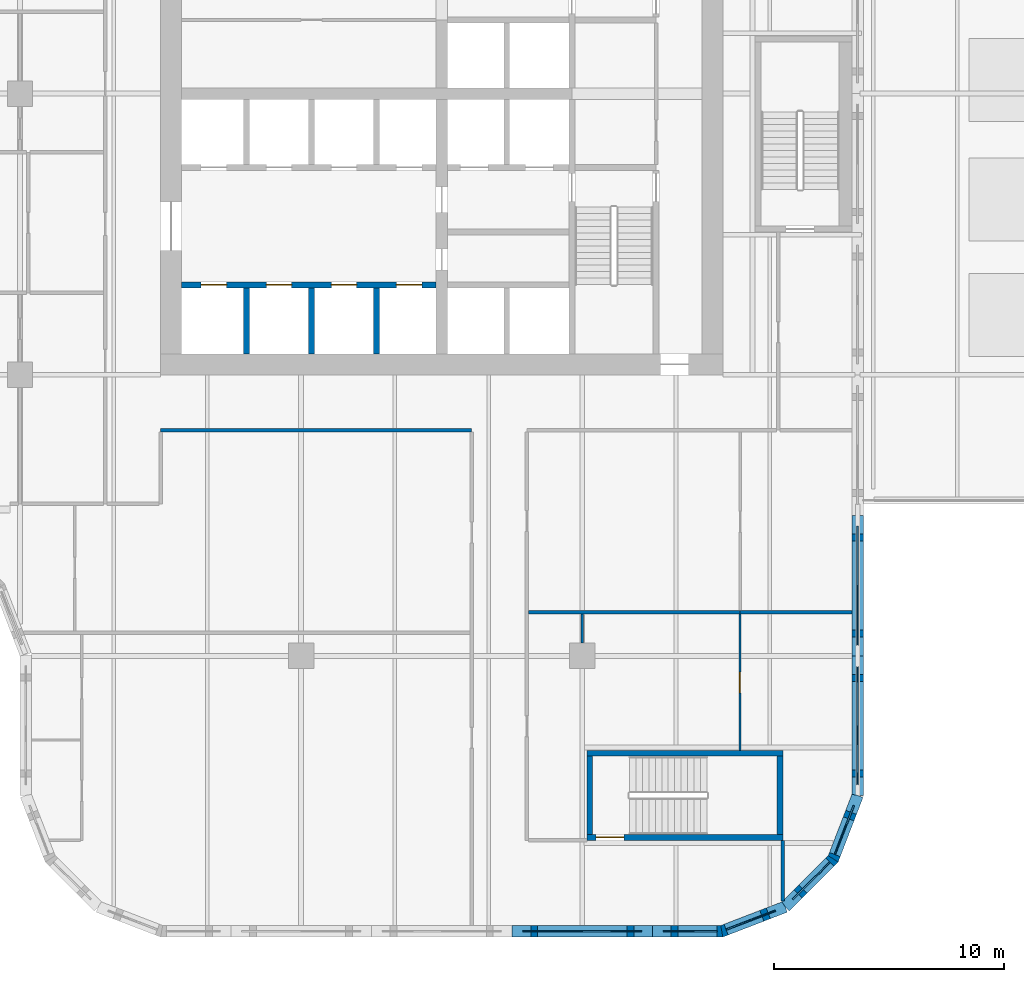
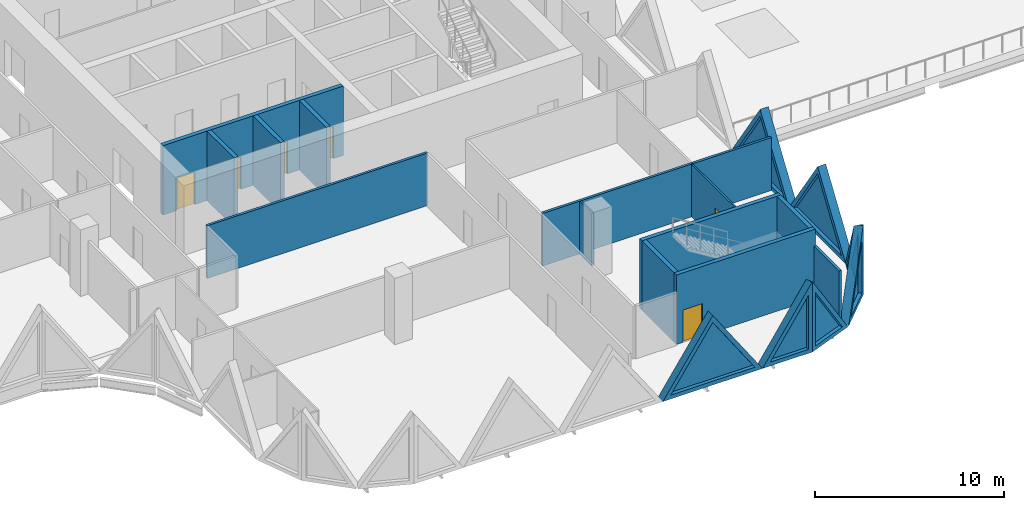
# One storey, part 8 of 21: 21 walls, 7 plates, 6 doors, 13 openings.
"""IFC4 building model written with IfcOpenShell, lengths in metres."""

from ifc_helpers import new_model, si_unit, direction, frame, frame_2d, origin, place, context, subcontext, project, spatial, polyline, rectangle, outline, extrude, faceted_brep, source, transform, mapped, material, layer, layer_set, type_object, element, fill, save


model = new_model("IFC4")

# Units and contexts
model_context = context("Model", 3, precision=1e-05, world=origin(), true_north=direction((0.0, 1.0)))
body_context = subcontext(model_context, "Body", "Model", "MODEL_VIEW")
ifc_project = project(units=[si_unit("LENGTHUNIT", "METRE"), si_unit("AREAUNIT", "SQUARE_METRE"), si_unit("VOLUMEUNIT", "CUBIC_METRE"), si_unit("PLANEANGLEUNIT", "RADIAN"), si_unit("MASSUNIT", "GRAM", prefix="KILO")], contexts=[model_context])

# Site, building, storey
site_placement = place(None, origin())
site = spatial("IfcSite", under=ifc_project, at=site_placement, CompositionType="ELEMENT")
building_placement = place(site_placement, origin())
building = spatial("IfcBuilding", under=site, at=building_placement, Name="Tessera Gate Towers", CompositionType="ELEMENT")
storey_placement = place(building_placement, frame((0.0, 0.0, 16.800048828125)))
storey = spatial("IfcBuildingStorey", under=building, at=storey_placement, Name="L03", CompositionType="ELEMENT", Elevation=16.800048828125)

# Wall, openings, doors
ifc_material_1 = material(Name="Concrete C40/50", Category="concrete")
ifc_layer_1 = layer(ifc_material_1, 0.25)
ifc_layer_set_1 = layer_set([ifc_layer_1], Name="CORE ENCLOSURE WALL 250")
wall_type_1 = type_object("IfcWallType", Name="CORE ENCLOSURE WALL 250", PredefinedType="SOLIDWALL", material=ifc_layer_set_1)
wall_1_placement = place(storey_placement, frame((31.39990234375, 28.300048828125, 0.0), z_axis=(0.0, 0.0, 1.0), x_axis=(1.0, 0.0, 0.0)))
wall_1 = element("IfcWall", 1, at=wall_1_placement, inside=storey, type_object=wall_type_1, Name="L03 shaft and stair enclosure wall", PredefinedType="SOLIDWALL", context=body_context, shape_type="SweptSolid", body=[
    extrude(rectangle(XDim=11.050048828125, YDim=0.25, at=frame_2d((5.52490234375, 0.0))), origin(), (0.0, 0.0, 1.0), 4.5),
])
shared_shape_1 = source(origin(), body_context, "Body", "SweptSolid", [
    extrude(rectangle(XDim=1.10009765625, YDim=2.10009765625, at=frame_2d((0.550048828125, 1.050048828125))), frame((0.0, 0.135009765625, 0.0), z_axis=(0.0, -1.0, 0.0), x_axis=(1.0, 0.0, 0.0)), (0.0, 0.0, 1.0), 0.27001953125),
])
opening_1_placement = place(wall_1_placement, frame((0.862548828125, 0.0, 0.0)))
opening_1 = element("IfcOpeningElement", 2, at=opening_1_placement, cuts=wall_1, Name="Opening LD-LR1", PredefinedType="OPENING", context=body_context, shape_type="MappedRepresentation", body=[
    mapped(shared_shape_1, transform((0.0, 0.0, 0.0), scale=1.0)),
])
opening_2_placement = place(wall_1_placement, frame((3.6875, 0.0, 0.0)))
opening_2 = element("IfcOpeningElement", 3, at=opening_2_placement, cuts=wall_1, Name="Opening LD-LR2", PredefinedType="OPENING", context=body_context, shape_type="MappedRepresentation", body=[
    mapped(shared_shape_1, transform((0.0, 0.0, 0.0), scale=1.0)),
])
opening_3_placement = place(wall_1_placement, frame((6.512451171875, 0.0, 0.0)))
opening_3 = element("IfcOpeningElement", 4, at=opening_3_placement, cuts=wall_1, Name="Opening LD-LR3", PredefinedType="OPENING", context=body_context, shape_type="MappedRepresentation", body=[
    mapped(shared_shape_1, transform((0.0, 0.0, 0.0), scale=1.0)),
])
opening_4_placement = place(wall_1_placement, frame((9.33740234375, 0.0, 0.0)))
opening_4 = element("IfcOpeningElement", 5, at=opening_4_placement, cuts=wall_1, Name="Opening LD-LR4", PredefinedType="OPENING", context=body_context, shape_type="MappedRepresentation", body=[
    mapped(shared_shape_1, transform((0.0, 0.0, 0.0), scale=1.0)),
])
ifc_material_2 = material(Name="Stainless steel", Category="steel")
door_type_1 = type_object("IfcDoorType", Name="CORE DOOR LD 1100x2100", OperationType="DOUBLE_DOOR_SLIDING", PredefinedType="DOOR", material=ifc_material_2)
shared_shape_2 = source(origin(), body_context, "Body", "SweptSolid", [
    extrude(rectangle(XDim=1.10009765625, YDim=2.10009765625, at=frame_2d((0.550048828125, 1.050048828125))), frame((0.0, 0.02490234375, 0.0), z_axis=(0.0, -1.0, 0.0), x_axis=(1.0, 0.0, 0.0)), (0.0, 0.0, 1.0), 0.050048828125),
])
door_1_placement = place(opening_1_placement, origin())
door_1 = element("IfcDoor", 6, at=door_1_placement, inside=storey, type_object=door_type_1, Name="Landing door LR1 L03", OperationType="DOUBLE_DOOR_SLIDING", OverallHeight=2.10009765625, OverallWidth=1.10009765625, PredefinedType="DOOR", context=body_context, shape_type="MappedRepresentation", body=[
    mapped(shared_shape_2, transform((0.0, 0.0, 0.0), scale=1.0)),
])
fill(opening_1, door_1)
door_2_placement = place(opening_2_placement, origin())
door_2 = element("IfcDoor", 7, at=door_2_placement, inside=storey, type_object=door_type_1, Name="Landing door LR2 L03", OperationType="DOUBLE_DOOR_SLIDING", OverallHeight=2.10009765625, OverallWidth=1.10009765625, PredefinedType="DOOR", context=body_context, shape_type="MappedRepresentation", body=[
    mapped(shared_shape_2, transform((0.0, 0.0, 0.0), scale=1.0)),
])
fill(opening_2, door_2)
door_3_placement = place(opening_3_placement, origin())
door_3 = element("IfcDoor", 8, at=door_3_placement, inside=storey, type_object=door_type_1, Name="Landing door LR3 L03", OperationType="DOUBLE_DOOR_SLIDING", OverallHeight=2.10009765625, OverallWidth=1.10009765625, PredefinedType="DOOR", context=body_context, shape_type="MappedRepresentation", body=[
    mapped(shared_shape_2, transform((0.0, 0.0, 0.0), scale=1.0)),
])
fill(opening_3, door_3)
door_4_placement = place(opening_4_placement, origin())
door_4 = element("IfcDoor", 9, at=door_4_placement, inside=storey, type_object=door_type_1, Name="Landing door LR4 L03", OperationType="DOUBLE_DOOR_SLIDING", OverallHeight=2.10009765625, OverallWidth=1.10009765625, PredefinedType="DOOR", context=body_context, shape_type="MappedRepresentation", body=[
    mapped(shared_shape_2, transform((0.0, 0.0, 0.0), scale=1.0)),
])
fill(opening_4, door_4)

# Walls
for number, where, z_axis, x_axis, name in (
    (10, (34.22509765625, 25.300048828125, 0.0), (0.0, 0.0, 1.0), (0.0, 1.0, 0.0), "L03 shaft and stair enclosure wall"),
    (11, (37.050048828125, 25.300048828125, 0.0), (0.0, 0.0, 1.0), (0.0, 1.0, 0.0), "L03 shaft and stair enclosure wall"),
    (12, (39.875, 25.300048828125, 0.0), (0.0, 0.0, 1.0), (0.0, 1.0, 0.0), "L03 shaft and stair enclosure wall"),
):
    element("IfcWall", number, at=place(storey_placement, frame(where, z_axis=z_axis, x_axis=x_axis)), inside=storey, type_object=wall_type_1, Name=name, PredefinedType="SOLIDWALL", context=body_context, shape_type="SweptSolid", body=[
        extrude(rectangle(XDim=2.875, YDim=0.25, at=frame_2d((1.4375, 0.0))), origin(), (0.0, 0.0, 1.0), 4.5),
    ])

# Wall, opening, door
wall_2_placement = place(storey_placement, frame((57.5, 4.324951171875, 0.0), z_axis=(0.0, 0.0, 1.0), x_axis=(-1.0, 0.0, 0.0)))
wall_2 = element("IfcWall", 13, at=wall_2_placement, inside=storey, type_object=wall_type_1, Name="L03 ST4 enclosure wall", PredefinedType="SOLIDWALL", context=body_context, shape_type="SweptSolid", body=[
    extrude(rectangle(XDim=8.5, YDim=0.25, at=frame_2d((4.25, 0.0))), origin(), (0.0, 0.0, 1.0), 4.5),
])
shared_shape_3 = source(origin(), body_context, "Body", "SweptSolid", [
    extrude(rectangle(XDim=1.199951171875, YDim=2.10009765625, at=frame_2d((0.60009765625, 1.050048828125))), frame((0.0, 0.135009765625, 0.0), z_axis=(0.0, -1.0, 0.0), x_axis=(1.0, 0.0, 0.0)), (0.0, 0.0, 1.0), 0.27001953125),
])
opening_5_placement = place(wall_2_placement, frame((6.89990234375, 0.0, 0.0)))
opening_5 = element("IfcOpeningElement", 14, at=opening_5_placement, cuts=wall_2, Name="Opening SD-ST4-1", PredefinedType="OPENING", context=body_context, shape_type="MappedRepresentation", body=[
    mapped(shared_shape_3, transform((0.0, 0.0, 0.0), scale=1.0)),
])
ifc_material_3 = material(Name="Hollow steel fire door", Category="steel")
door_type_2 = type_object("IfcDoorType", Name="CORE DOOR SD 1200x2100", OperationType="NOTDEFINED", PredefinedType="DOOR", material=ifc_material_3)
shared_shape_4 = source(origin(), body_context, "Body", "SweptSolid", [
    extrude(rectangle(XDim=1.199951171875, YDim=2.10009765625, at=frame_2d((0.60009765625, 1.050048828125))), frame((0.0, 0.02490234375, 0.0), z_axis=(0.0, -1.0, 0.0), x_axis=(1.0, 0.0, 0.0)), (0.0, 0.0, 1.0), 0.050048828125),
])
door_5_placement = place(opening_5_placement, origin())
door_5 = element("IfcDoor", 15, at=door_5_placement, inside=storey, type_object=door_type_2, Name="Stair door", OperationType="SINGLE_SWING_RIGHT", OverallHeight=2.10009765625, OverallWidth=1.199951171875, PredefinedType="DOOR", context=body_context, shape_type="MappedRepresentation", body=[
    mapped(shared_shape_4, transform((0.0, 0.0, 0.0), scale=1.0)),
])
fill(opening_5, door_5)

# Walls
wall_3_placement = place(storey_placement, frame((49.125, 4.449951171875, 0.0), z_axis=(0.0, 0.0, 1.0), x_axis=(0.0, 1.0, 0.0)))
element("IfcWall", 16, at=wall_3_placement, inside=storey, type_object=wall_type_1, Name="L03 ST4 enclosure wall", PredefinedType="SOLIDWALL", context=body_context, shape_type="SweptSolid", body=[
    extrude(rectangle(XDim=3.400146484375, YDim=0.25, at=frame_2d((1.7001953125, 0.0))), origin(), (0.0, 0.0, 1.0), 4.5),
])
wall_4_placement = place(storey_placement, frame((49.0, 7.97509765625, 0.0), z_axis=(0.0, 0.0, 1.0), x_axis=(1.0, 0.0, 0.0)))
element("IfcWall", 17, at=wall_4_placement, inside=storey, type_object=wall_type_1, Name="L03 ST4 enclosure wall", PredefinedType="SOLIDWALL", context=body_context, shape_type="SweptSolid", body=[
    extrude(rectangle(XDim=8.5, YDim=0.25, at=frame_2d((4.25, 0.0))), origin(), (0.0, 0.0, 1.0), 4.5),
])
wall_5_placement = place(storey_placement, frame((57.375, 7.85009765625, 0.0), z_axis=(0.0, 0.0, 1.0), x_axis=(0.0, -1.0, 0.0)))
element("IfcWall", 18, at=wall_5_placement, inside=storey, type_object=wall_type_1, Name="L03 ST4 enclosure wall", PredefinedType="SOLIDWALL", context=body_context, shape_type="SweptSolid", body=[
    extrude(rectangle(XDim=3.400146484375, YDim=0.25, at=frame_2d((1.7001953125, 0.0))), origin(), (0.0, 0.0, 1.0), 4.5),
])
ifc_material_4 = material(Name="Gypsum board on steel studs, mineral wool", Category="steel")
ifc_layer_2 = layer(ifc_material_4, 0.14990234375)
ifc_layer_set_2 = layer_set([ifc_layer_2], Name="CORRIDOR WALL 150")
wall_type_2 = type_object("IfcWallType", Name="CORRIDOR WALL 150", PredefinedType="PARTITIONING", material=ifc_layer_set_2)
wall_6_placement = place(storey_placement, frame((57.5, 1.55908203125, 0.0), z_axis=(0.0, 0.0, 1.0), x_axis=(0.0, 1.0, 0.0)))
element("IfcWall", 19, at=wall_6_placement, inside=storey, type_object=wall_type_2, Name="T1-L03-PW-002", PredefinedType="PARTITIONING", context=body_context, shape_type="SweptSolid", body=[
    extrude(rectangle(XDim=2.640869140625, YDim=0.14990234375, at=frame_2d((1.3203125, 0.0))), origin(), (0.0, 0.0, 1.0), 3.4150390625),
])
wall_7_placement = place(storey_placement, frame((30.5, 22.0, 0.0), z_axis=(0.0, 0.0, 1.0), x_axis=(1.0, 0.0, 0.0)))
element("IfcWall", 20, at=wall_7_placement, inside=storey, type_object=wall_type_2, Name="T1-L03-PW-022", PredefinedType="PARTITIONING", context=body_context, shape_type="SweptSolid", body=[
    extrude(rectangle(XDim=13.5, YDim=0.14990234375, at=frame_2d((6.75, 0.0))), origin(), (0.0, 0.0, 1.0), 3.4150390625),
])

# Wall, opening, door
ifc_material_5 = material(Name="Glass", Category="glass")
ifc_layer_3 = layer(ifc_material_5, 0.10009765625)
ifc_layer_set_3 = layer_set([ifc_layer_3], Name="GLAZED PARTITION 100")
wall_type_3 = type_object("IfcWallType", Name="GLAZED PARTITION 100", PredefinedType="PARTITIONING", material=ifc_layer_set_3)
wall_8_placement = place(storey_placement, frame((55.639892578125, 14.02392578125, 0.0), z_axis=(0.0, 0.0, 1.0), x_axis=(0.0, -1.0, 0.0)))
wall_8 = element("IfcWall", 21, at=wall_8_placement, inside=storey, type_object=wall_type_3, Name="T1-L03-PW-007", PredefinedType="PARTITIONING", context=body_context, shape_type="SweptSolid", body=[
    extrude(rectangle(XDim=5.923828125, YDim=0.10009765625, at=frame_2d((2.9619140625, 0.0))), origin(), (0.0, 0.0, 1.0), 3.4150390625),
])
shared_shape_5 = source(origin(), body_context, "Body", "SweptSolid", [
    extrude(rectangle(XDim=0.89990234375, YDim=2.10009765625, at=frame_2d((0.449951171875, 1.050048828125))), frame((0.0, 0.06005859375, 0.0), z_axis=(0.0, -1.0, 0.0), x_axis=(1.0, 0.0, 0.0)), (0.0, 0.0, 1.0), 0.1201171875),
])
opening_6_placement = place(wall_8_placement, frame((2.52392578125, 0.0, 0.0)))
opening_6 = element("IfcOpeningElement", 22, at=opening_6_placement, cuts=wall_8, Name="Opening D690-A00-02", PredefinedType="OPENING", context=body_context, shape_type="MappedRepresentation", body=[
    mapped(shared_shape_5, transform((0.0, 0.0, 0.0), scale=1.0)),
])
ifc_material_6 = material(Name="Glass in aluminium frame", Category="aluminium")
door_type_3 = type_object("IfcDoorType", Name="GLAZED DOOR 900 NOT RATED", OperationType="NOTDEFINED", PredefinedType="DOOR", material=ifc_material_6)
shared_shape_6 = source(origin(), body_context, "Body", "SweptSolid", [
    extrude(rectangle(XDim=0.89990234375, YDim=2.10009765625, at=frame_2d((0.449951171875, 1.050048828125))), frame((0.0, 0.02490234375, 0.0), z_axis=(0.0, -1.0, 0.0), x_axis=(1.0, 0.0, 0.0)), (0.0, 0.0, 1.0), 0.050048828125),
])
door_6_placement = place(opening_6_placement, origin())
door_6 = element("IfcDoor", 23, at=door_6_placement, inside=storey, type_object=door_type_3, Name="T1-L03-PD-012", OperationType="SINGLE_SWING_RIGHT", OverallHeight=2.10009765625, OverallWidth=0.89990234375, PredefinedType="DOOR", context=body_context, shape_type="MappedRepresentation", body=[
    mapped(shared_shape_6, transform((0.0, 0.0, 0.0), scale=1.0)),
])
fill(opening_6, door_6)

# Walls
ifc_material_7 = material(Name="Gypsum board on steel studs", Category="steel")
ifc_layer_4 = layer(ifc_material_7, 0.10009765625)
ifc_layer_set_4 = layer_set([ifc_layer_4], Name="PARTITION 100")
wall_type_4 = type_object("IfcWallType", Name="PARTITION 100", PredefinedType="PARTITIONING", material=ifc_layer_set_4)
wall_9_placement = place(storey_placement, frame((48.800048828125, 12.75, 0.0), z_axis=(0.0, 0.0, 1.0), x_axis=(0.0, 1.0, 0.0)))
element("IfcWall", 24, at=wall_9_placement, inside=storey, type_object=wall_type_4, Name="T1-L03-PW-009", PredefinedType="PARTITIONING", context=body_context, shape_type="SweptSolid", body=[
    extrude(rectangle(XDim=1.27490234375, YDim=0.10009765625, at=frame_2d((0.637451171875, 0.0))), origin(), (0.0, 0.0, 1.0), 3.4150390625),
])
ifc_material_8 = material(Name="Gypsum board on steel studs, mineral wool", Category="steel")
ifc_layer_5 = layer(ifc_material_8, 0.14990234375)
ifc_layer_set_5 = layer_set([ifc_layer_5], Name="TENANCY WALL 150")
wall_type_5 = type_object("IfcWallType", Name="TENANCY WALL 150", PredefinedType="PARTITIONING", material=ifc_layer_set_5)
wall_10_placement = place(storey_placement, frame((46.47607421875, 14.10009765625, 0.0), z_axis=(0.0, 0.0, 1.0), x_axis=(1.0, 0.0, 0.0)))
element("IfcWall", 25, at=wall_10_placement, inside=storey, type_object=wall_type_5, Name="T1-L03-PW-012", PredefinedType="PARTITIONING", context=body_context, shape_type="SweptSolid", body=[
    extrude(rectangle(XDim=9.163818359375, YDim=0.14990234375, at=frame_2d((4.58203125, 0.0))), origin(), (0.0, 0.0, 1.0), 3.4150390625),
])
wall_11_placement = place(storey_placement, frame((55.64990234375, 14.10009765625, 0.0), z_axis=(0.0, 0.0, 1.0), x_axis=(1.0, 0.0, 0.0)))
element("IfcWall", 26, at=wall_11_placement, inside=storey, type_object=wall_type_5, Name="T1-L03-PW-013", PredefinedType="PARTITIONING", context=body_context, shape_type="SweptSolid", body=[
    extrude(rectangle(XDim=4.85009765625, YDim=0.14990234375, at=frame_2d((2.425048828125, 0.0))), origin(), (0.0, 0.0, 1.0), 3.4150390625),
])

# Wall, opening, plate
ifc_material_9 = material(Name="Precast concrete C60/75 white", Category="concrete")
ifc_layer_6 = layer(ifc_material_9, 0.5)
ifc_layer_set_6 = layer_set([ifc_layer_6], Name="TS2 half tessera")
wall_type_6 = type_object("IfcWallType", Name="TS2 half tessera", PredefinedType="SOLIDWALL", material=ifc_layer_set_6)
shared_shape_7 = source(origin(), body_context, "Body", "SweptSolid", [
    extrude(outline(polyline([(6.10009765625, 0.0), (3.050048828125, 4.5), (0.0, 0.0), (6.10009765625, 0.0)])), frame((0.0, 0.25, 0.0), z_axis=(0.0, -1.0, 0.0), x_axis=(1.0, 0.0, 0.0)), (0.0, 0.0, 1.0), 0.5),
])
wall_12_placement = place(storey_placement, frame((45.75, 0.25, 0.0), z_axis=(0.0, 0.0, 1.0), x_axis=(1.0, 0.0, 0.0)))
wall_12 = element("IfcWall", 27, at=wall_12_placement, inside=storey, type_object=wall_type_6, Name="Precast half tessera T1 TS2-0003", PredefinedType="SOLIDWALL", context=body_context, shape_type="MappedRepresentation", body=[
    mapped(shared_shape_7, transform((0.0, 0.0, 0.0), scale=1.0)),
])
shared_shape_8 = source(origin(), body_context, "Body", "SweptSolid", [
    extrude(outline(polyline([(5.628662109375, 0.25), (3.050048828125, 4.054443359375), (0.471435546875, 0.25), (5.628662109375, 0.25)])), frame((0.0, 0.260009765625, 0.0), z_axis=(0.0, -1.0, 0.0), x_axis=(1.0, 0.0, 0.0)), (0.0, 0.0, 1.0), 0.52001953125),
])
opening_7_placement = place(wall_12_placement, origin())
opening_7 = element("IfcOpeningElement", 28, at=opening_7_placement, cuts=wall_12, Name="Opening T1-PL1-0005", PredefinedType="OPENING", context=body_context, shape_type="MappedRepresentation", body=[
    mapped(shared_shape_8, transform((0.0, 0.0, 0.0), scale=1.0)),
])
ifc_material_10 = material(Name="Low-e laminated glass", Category="glass")
ifc_layer_7 = layer(ifc_material_10, 0.06005859375)
ifc_layer_set_7 = layer_set([ifc_layer_7], Name="PL1 triangular pane")
plate_type = type_object("IfcPlateType", Name="PL1 triangular pane", PredefinedType="SHEET", material=ifc_layer_set_7)
shared_shape_9 = source(origin(), body_context, "Body", "SweptSolid", [
    extrude(outline(polyline([(5.628662109375, 0.25), (3.050048828125, 4.054443359375), (0.471435546875, 0.25), (5.628662109375, 0.25)])), frame((0.0, 0.030029296875, 0.0), z_axis=(0.0, -1.0, 0.0), x_axis=(1.0, 0.0, 0.0)), (0.0, 0.0, 1.0), 0.06005859375),
])
plate_1_placement = place(opening_7_placement, origin())
plate_1 = element("IfcPlate", 29, at=plate_1_placement, inside=storey, type_object=plate_type, Name="Glass pane T1 PL1-0005", PredefinedType="SHEET", context=body_context, shape_type="MappedRepresentation", body=[
    mapped(shared_shape_9, transform((0.0, 0.0, 0.0), scale=1.0)),
])
fill(opening_7, plate_1)

wall_13_placement = place(storey_placement, frame((60.75, 12.199951171875, 0.0), z_axis=(0.0, 0.0, 1.0), x_axis=(0.0, 1.0, 0.0)))
wall_13 = element("IfcWall", 30, at=wall_13_placement, inside=storey, type_object=wall_type_6, Name="Precast half tessera T1 TS2-0005", PredefinedType="SOLIDWALL", context=body_context, shape_type="MappedRepresentation", body=[
    mapped(shared_shape_7, transform((0.0, 0.0, 0.0), scale=1.0)),
])
opening_8_placement = place(wall_13_placement, origin())
opening_8 = element("IfcOpeningElement", 31, at=opening_8_placement, cuts=wall_13, Name="Opening T1-PL1-0011", PredefinedType="OPENING", context=body_context, shape_type="MappedRepresentation", body=[
    mapped(shared_shape_8, transform((0.0, 0.0, 0.0), scale=1.0)),
])
plate_2_placement = place(opening_8_placement, origin())
plate_2 = element("IfcPlate", 32, at=plate_2_placement, inside=storey, type_object=plate_type, Name="Glass pane T1 PL1-0011", PredefinedType="SHEET", context=body_context, shape_type="MappedRepresentation", body=[
    mapped(shared_shape_9, transform((0.0, 0.0, 0.0), scale=1.0)),
])
fill(opening_8, plate_2)

ifc_material_11 = material(Name="Precast concrete C60/75 white", Category="concrete")
ifc_layer_8 = layer(ifc_material_11, 0.5)
ifc_layer_set_8 = layer_set([ifc_layer_8], Name="TS3 corner tessera")
wall_type_7 = type_object("IfcWallType", Name="TS3 corner tessera", PredefinedType="SOLIDWALL", material=ifc_layer_set_8)
shared_shape_10 = source(origin(), body_context, "Body", "Brep", [
    faceted_brep([(3.050048828125, -0.25, 4.428955078125), (3.00341796875, -0.25, 4.5), (0.0, -0.25, 0.0), (3.050048828125, -0.25, 0.0), (0.0, 0.25, 0.0), (2.956787109375, 0.25, 4.430419921875), (2.956787109375, 0.25, 0.0), (3.00341796875, 0.000244140625, 4.5)], [[[0, 1, 2, 3]], [[4, 5, 6]], [[7, 1, 0]], [[5, 4, 2, 1, 7]], [[4, 6, 3, 2]], [[3, 6, 5, 7, 0]]]),
])
wall_14_placement = place(storey_placement, frame((51.85009765625, 0.25, 0.0), z_axis=(0.0, 0.0, 1.0), x_axis=(1.0, 0.0, 0.0)))
wall_14 = element("IfcWall", 33, at=wall_14_placement, inside=storey, type_object=wall_type_7, Name="Precast corner tessera T1 TS3-0003", PredefinedType="SOLIDWALL", context=body_context, shape_type="MappedRepresentation", body=[
    mapped(shared_shape_10, transform((0.0, 0.0, 0.0), scale=1.0)),
])
shared_shape_11 = source(origin(), body_context, "Body", "SweptSolid", [
    extrude(outline(polyline([(2.803466796875, 3.75), (0.467529296875, 0.25), (2.803466796875, 0.25), (2.803466796875, 3.75)])), frame((0.0, 0.260009765625, 0.0), z_axis=(0.0, -1.0, 0.0), x_axis=(1.0, 0.0, 0.0)), (0.0, 0.0, 1.0), 0.52001953125),
])
opening_9_placement = place(wall_14_placement, origin())
opening_9 = element("IfcOpeningElement", 34, at=opening_9_placement, cuts=wall_14, Name="Opening T1-PL1-0006", PredefinedType="OPENING", context=body_context, shape_type="MappedRepresentation", body=[
    mapped(shared_shape_11, transform((0.0, 0.0, 0.0), scale=1.0)),
])
shared_shape_12 = source(origin(), body_context, "Body", "SweptSolid", [
    extrude(outline(polyline([(2.803466796875, 3.75), (0.467529296875, 0.25), (2.803466796875, 0.25), (2.803466796875, 3.75)])), frame((0.0, 0.030029296875, 0.0), z_axis=(0.0, -1.0, 0.0), x_axis=(1.0, 0.0, 0.0)), (0.0, 0.0, 1.0), 0.06005859375),
])
plate_3_placement = place(opening_9_placement, origin())
plate_3 = element("IfcPlate", 35, at=plate_3_placement, inside=storey, type_object=plate_type, Name="Glass pane T1 PL1-0006", PredefinedType="SHEET", context=body_context, shape_type="MappedRepresentation", body=[
    mapped(shared_shape_12, transform((0.0, 0.0, 0.0), scale=1.0)),
])
fill(opening_9, plate_3)

shared_shape_13 = source(origin(), body_context, "Body", "Brep", [
    faceted_brep([(2.9970703125, -0.25, 0.0), (0.046630859375, -0.25, 4.5), (0.0, -0.25, 4.43017578125), (0.0, -0.25, 0.0), (0.09326171875, 0.25, 4.428955078125), (2.9443359375, 0.25, 0.08056640625), (2.9443359375, 0.25, 0.0), (0.09326171875, 0.25, 0.0), (0.046630859375, 0.0, 4.5), (2.9970703125, 0.00048828125, 0.0)], [[[0, 1, 2, 3]], [[4, 5, 6, 7]], [[5, 4, 8, 1, 0, 9]], [[2, 1, 8]], [[7, 6, 9, 0, 3]], [[7, 3, 2, 8, 4]], [[9, 6, 5]]]),
])
wall_15_placement = place(storey_placement, frame((54.81005859375, 0.233154296875, 0.0), z_axis=(0.0, 0.0, 1.0), x_axis=(0.932990326376, 0.359901446078, 0.0)))
wall_15 = element("IfcWall", 36, at=wall_15_placement, inside=storey, type_object=wall_type_7, Name="Precast corner tessera T1 TS3-0004", PredefinedType="SOLIDWALL", context=body_context, shape_type="MappedRepresentation", body=[
    mapped(shared_shape_13, transform((0.0, 0.0, 0.0), scale=1.0)),
])
shared_shape_14 = source(origin(), body_context, "Body", "SweptSolid", [
    extrude(outline(polyline([(2.5341796875, 0.25), (0.24658203125, 3.739013671875), (0.24658203125, 0.25), (2.5341796875, 0.25)])), frame((0.0, 0.260009765625, 0.0), z_axis=(0.0, -1.0, 0.0), x_axis=(1.0, 0.0, 0.0)), (0.0, 0.0, 1.0), 0.52001953125),
])
opening_10_placement = place(wall_15_placement, origin())
opening_10 = element("IfcOpeningElement", 37, at=opening_10_placement, cuts=wall_15, Name="Opening T1-PL1-0007", PredefinedType="OPENING", context=body_context, shape_type="MappedRepresentation", body=[
    mapped(shared_shape_14, transform((0.0, 0.0, 0.0), scale=1.0)),
])
shared_shape_15 = source(origin(), body_context, "Body", "SweptSolid", [
    extrude(outline(polyline([(2.5341796875, 0.25), (0.24658203125, 3.739013671875), (0.24658203125, 0.25), (2.5341796875, 0.25)])), frame((0.0, 0.030029296875, 0.0), z_axis=(0.0, -1.0, 0.0), x_axis=(1.0, 0.0, 0.0)), (0.0, 0.0, 1.0), 0.06005859375),
])
plate_4_placement = place(opening_10_placement, origin())
plate_4 = element("IfcPlate", 38, at=plate_4_placement, inside=storey, type_object=plate_type, Name="Glass pane T1 PL1-0007", PredefinedType="SHEET", context=body_context, shape_type="MappedRepresentation", body=[
    mapped(shared_shape_15, transform((0.0, 0.0, 0.0), scale=1.0)),
])
fill(opening_10, plate_4)

shared_shape_16 = source(origin(), body_context, "Body", "Brep", [
    faceted_brep([(2.9970703125, -0.25, 4.419189453125), (2.944091796875, -0.25, 4.5), (0.0, -0.25, 0.0), (2.9970703125, -0.25, 0.0), (0.052978515625, 0.25, 0.080810546875), (2.89111328125, 0.25, 4.419189453125), (2.89111328125, 0.25, 0.0), (0.052978515625, 0.25, 0.0), (2.944091796875, 0.000244140625, 4.5), (0.0, 0.0, 0.0)], [[[0, 1, 2, 3]], [[4, 5, 6, 7]], [[8, 1, 0]], [[5, 4, 9, 2, 1, 8]], [[7, 6, 3, 2, 9]], [[7, 9, 4]], [[3, 6, 5, 8, 0]]]),
])
wall_16_placement = place(storey_placement, frame((57.606201171875, 1.31201171875, 0.0), z_axis=(0.0, 0.0, 1.0), x_axis=(0.707147509625, 0.707066050402, 0.0)))
wall_16 = element("IfcWall", 39, at=wall_16_placement, inside=storey, type_object=wall_type_7, Name="Precast corner tessera T1 TS3-0005", PredefinedType="SOLIDWALL", context=body_context, shape_type="MappedRepresentation", body=[
    mapped(shared_shape_16, transform((0.0, 0.0, 0.0), scale=1.0)),
])
shared_shape_17 = source(origin(), body_context, "Body", "SweptSolid", [
    extrude(outline(polyline([(2.744140625, 3.737548828125), (0.46240234375, 0.25), (2.744140625, 0.25), (2.744140625, 3.737548828125)])), frame((0.0, 0.260009765625, 0.0), z_axis=(0.0, -1.0, 0.0), x_axis=(1.0, 0.0, 0.0)), (0.0, 0.0, 1.0), 0.52001953125),
])
opening_11_placement = place(wall_16_placement, origin())
opening_11 = element("IfcOpeningElement", 40, at=opening_11_placement, cuts=wall_16, Name="Opening T1-PL1-0008", PredefinedType="OPENING", context=body_context, shape_type="MappedRepresentation", body=[
    mapped(shared_shape_17, transform((0.0, 0.0, 0.0), scale=1.0)),
])
shared_shape_18 = source(origin(), body_context, "Body", "SweptSolid", [
    extrude(outline(polyline([(2.744140625, 3.737548828125), (0.46240234375, 0.25), (2.744140625, 0.25), (2.744140625, 3.737548828125)])), frame((0.0, 0.030029296875, 0.0), z_axis=(0.0, -1.0, 0.0), x_axis=(1.0, 0.0, 0.0)), (0.0, 0.0, 1.0), 0.06005859375),
])
plate_5_placement = place(opening_11_placement, origin())
plate_5 = element("IfcPlate", 41, at=plate_5_placement, inside=storey, type_object=plate_type, Name="Glass pane T1 PL1-0008", PredefinedType="SHEET", context=body_context, shape_type="MappedRepresentation", body=[
    mapped(shared_shape_18, transform((0.0, 0.0, 0.0), scale=1.0)),
])
fill(opening_11, plate_5)

shared_shape_19 = source(origin(), body_context, "Body", "Brep", [
    faceted_brep([(3.00341796875, -0.25, 0.0), (0.052978515625, -0.25, 4.5), (0.0, -0.25, 4.419189453125), (0.0, -0.25, 0.0), (0.10595703125, 0.25, 4.419189453125), (2.95703125, 0.25, 0.07080078125), (2.95703125, 0.25, 0.0), (0.10595703125, 0.25, 0.0), (0.052978515625, 0.0, 4.5), (3.00341796875, 0.00048828125, 0.0)], [[[0, 1, 2, 3]], [[4, 5, 6, 7]], [[5, 4, 8, 1, 0, 9]], [[2, 1, 8]], [[7, 6, 9, 0, 3]], [[7, 3, 2, 8, 4]], [[9, 6, 5]]]),
])
wall_17_placement = place(storey_placement, frame((59.6689453125, 3.34423828125, 0.0), z_axis=(0.0, 0.0, 1.0), x_axis=(0.35992665181, 0.932980602862, 0.0)))
wall_17 = element("IfcWall", 42, at=wall_17_placement, inside=storey, type_object=wall_type_7, Name="Precast corner tessera T1 TS3-0006", PredefinedType="SOLIDWALL", context=body_context, shape_type="MappedRepresentation", body=[
    mapped(shared_shape_19, transform((0.0, 0.0, 0.0), scale=1.0)),
])
shared_shape_20 = source(origin(), body_context, "Body", "SweptSolid", [
    extrude(outline(polyline([(2.54052734375, 0.25), (0.2529296875, 3.739013671875), (0.2529296875, 0.25), (2.54052734375, 0.25)])), frame((0.0, 0.260009765625, 0.0), z_axis=(0.0, -1.0, 0.0), x_axis=(1.0, 0.0, 0.0)), (0.0, 0.0, 1.0), 0.52001953125),
])
opening_12_placement = place(wall_17_placement, origin())
opening_12 = element("IfcOpeningElement", 43, at=opening_12_placement, cuts=wall_17, Name="Opening T1-PL1-0009", PredefinedType="OPENING", context=body_context, shape_type="MappedRepresentation", body=[
    mapped(shared_shape_20, transform((0.0, 0.0, 0.0), scale=1.0)),
])
shared_shape_21 = source(origin(), body_context, "Body", "SweptSolid", [
    extrude(outline(polyline([(2.54052734375, 0.25), (0.2529296875, 3.739013671875), (0.2529296875, 0.25), (2.54052734375, 0.25)])), frame((0.0, 0.030029296875, 0.0), z_axis=(0.0, -1.0, 0.0), x_axis=(1.0, 0.0, 0.0)), (0.0, 0.0, 1.0), 0.06005859375),
])
plate_6_placement = place(opening_12_placement, origin())
plate_6 = element("IfcPlate", 44, at=plate_6_placement, inside=storey, type_object=plate_type, Name="Glass pane T1 PL1-0009", PredefinedType="SHEET", context=body_context, shape_type="MappedRepresentation", body=[
    mapped(shared_shape_21, transform((0.0, 0.0, 0.0), scale=1.0)),
])
fill(opening_12, plate_6)

shared_shape_22 = source(origin(), body_context, "Body", "Brep", [
    faceted_brep([(6.053466796875, -0.25, 0.0), (3.00341796875, -0.25, 4.5), (0.0, -0.25, 0.0), (0.046630859375, 0.25, 0.06982421875), (3.00341796875, 0.25, 4.5), (6.053466796875, 0.25, 0.0), (0.046630859375, 0.25, 0.0), (0.0, 0.0, 0.0)], [[[0, 1, 2]], [[3, 4, 5, 6]], [[5, 4, 1, 0]], [[4, 3, 7, 2, 1]], [[6, 5, 0, 2, 7]], [[6, 7, 3]]]),
])
wall_18_placement = place(storey_placement, frame((60.75, 6.146484375, 0.0), z_axis=(0.0, 0.0, 1.0), x_axis=(0.0, 1.0, 0.0)))
wall_18 = element("IfcWall", 45, at=wall_18_placement, inside=storey, type_object=wall_type_6, Name="Precast half tessera T1 TS2-0004", PredefinedType="SOLIDWALL", context=body_context, shape_type="MappedRepresentation", body=[
    mapped(shared_shape_22, transform((0.0, 0.0, 0.0), scale=1.0)),
])
shared_shape_23 = source(origin(), body_context, "Body", "SweptSolid", [
    extrude(outline(polyline([(5.58203125, 0.25), (3.005126953125, 4.052001953125), (0.467529296875, 0.25), (5.58203125, 0.25)])), frame((0.0, 0.260009765625, 0.0), z_axis=(0.0, -1.0, 0.0), x_axis=(1.0, 0.0, 0.0)), (0.0, 0.0, 1.0), 0.52001953125),
])
opening_13_placement = place(wall_18_placement, origin())
opening_13 = element("IfcOpeningElement", 46, at=opening_13_placement, cuts=wall_18, Name="Opening T1-PL1-0010", PredefinedType="OPENING", context=body_context, shape_type="MappedRepresentation", body=[
    mapped(shared_shape_23, transform((0.0, 0.0, 0.0), scale=1.0)),
])
shared_shape_24 = source(origin(), body_context, "Body", "SweptSolid", [
    extrude(outline(polyline([(5.58203125, 0.25), (3.005126953125, 4.052001953125), (0.467529296875, 0.25), (5.58203125, 0.25)])), frame((0.0, 0.030029296875, 0.0), z_axis=(0.0, -1.0, 0.0), x_axis=(1.0, 0.0, 0.0)), (0.0, 0.0, 1.0), 0.06005859375),
])
plate_7_placement = place(opening_13_placement, origin())
plate_7 = element("IfcPlate", 47, at=plate_7_placement, inside=storey, type_object=plate_type, Name="Glass pane T1 PL1-0010", PredefinedType="SHEET", context=body_context, shape_type="MappedRepresentation", body=[
    mapped(shared_shape_24, transform((0.0, 0.0, 0.0), scale=1.0)),
])
fill(opening_13, plate_7)

save(model, "model.ifc")
